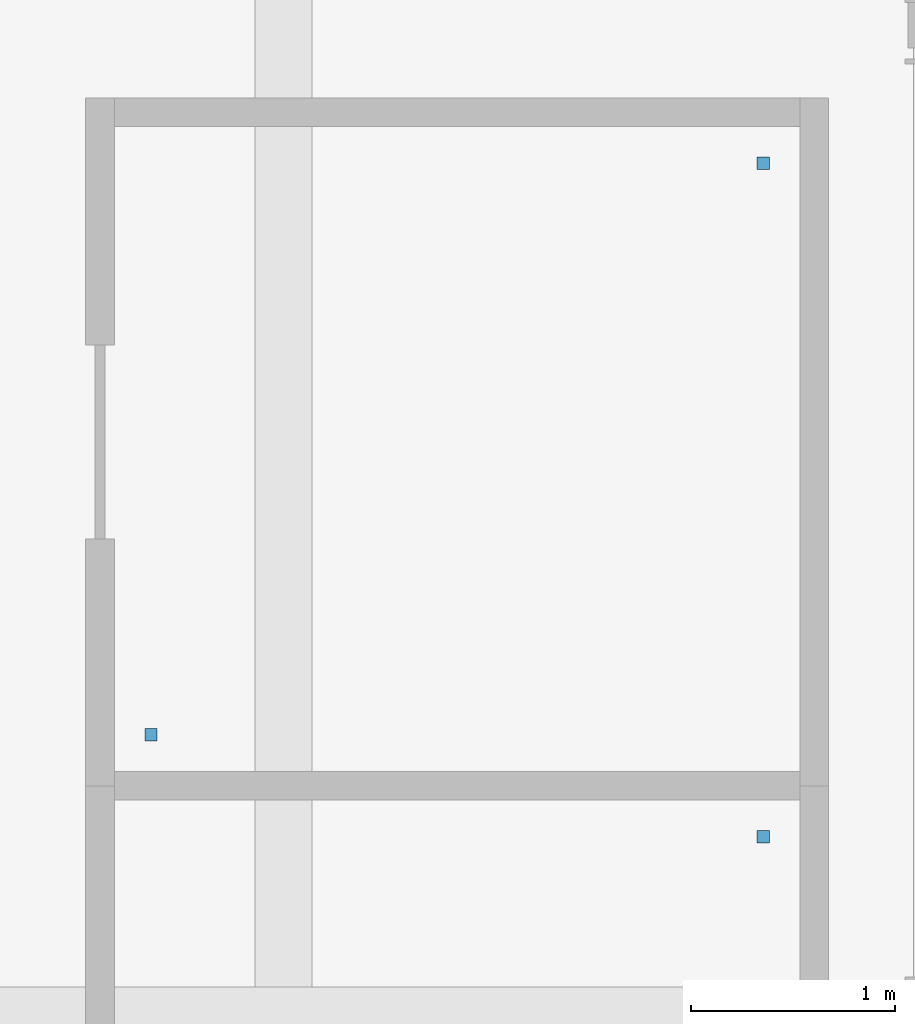
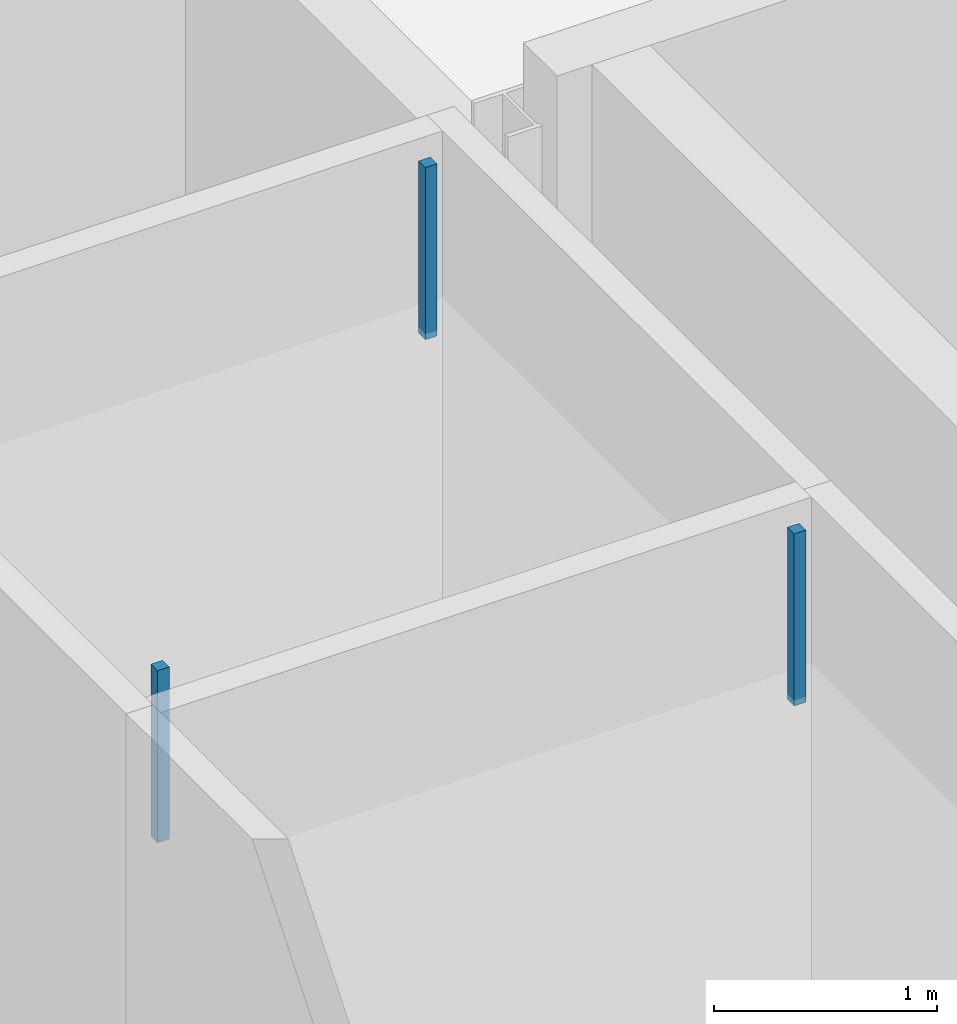
# One storey, part 18 of 22: 3 discrete accessories.
"""IFC4 building model written with IfcOpenShell, lengths in metres."""

from ifc_helpers import new_model, si_unit, direction, frame, origin, place, context, subcontext, project, spatial, polyline, outline, extrude, material, type_object, element, save


model = new_model("IFC4")

# Units and contexts
model_context = context("Model", 3, precision=1e-05, world=origin(), true_north=direction((0.0, 1.0)))
body_context = subcontext(model_context, "Body", "Model", "MODEL_VIEW")
ifc_project = project(units=[si_unit("LENGTHUNIT", "METRE"), si_unit("AREAUNIT", "SQUARE_METRE"), si_unit("VOLUMEUNIT", "CUBIC_METRE"), si_unit("PLANEANGLEUNIT", "RADIAN"), si_unit("MASSUNIT", "GRAM", prefix="KILO")], contexts=[model_context])

# Site, building, storey
site_placement = place(None, origin())
site = spatial("IfcSite", under=ifc_project, at=site_placement, CompositionType="ELEMENT")
building_placement = place(site_placement, origin())
building = spatial("IfcBuilding", under=site, at=building_placement, Name="Dunescarp Central Library", CompositionType="ELEMENT")
storey_placement = place(building_placement, frame((0.0, 0.0, 27.60009765625)))
storey = spatial("IfcBuildingStorey", under=building, at=storey_placement, Name="L06", CompositionType="ELEMENT", Elevation=27.60009765625)

# Discrete accessories
ifc_material = material(Name="Stainless steel Grade 316L", Category="steel")
discrete_accessory_type = type_object("IfcDiscreteAccessoryType", Name="ARC-ACC-BRK", PredefinedType="BRACKET", material=ifc_material)
discrete_accessory_1_placement = place(storey_placement, frame((0.0, 0.0, 3.059814453125)))
element("IfcDiscreteAccessory", 1, at=discrete_accessory_1_placement, inside=storey, type_object=discrete_accessory_type, Name="L06 ceiling hanger CLG-L06-041-H2", PredefinedType="BRACKET", context=body_context, shape_type="SweptSolid", body=[
    extrude(outline(polyline([(32.719970703125, 21.6201171875), (32.780029296875, 21.6201171875), (32.780029296875, 21.679931640625), (32.719970703125, 21.679931640625), (32.719970703125, 21.6201171875)])), origin(), (0.0, 0.0, 1.0), 0.940185546875),
])
discrete_accessory_2_placement = place(storey_placement, frame((0.0, 0.0, 3.059814453125)))
element("IfcDiscreteAccessory", 2, at=discrete_accessory_2_placement, inside=storey, type_object=discrete_accessory_type, Name="L06 ceiling hanger CLG-L06-042-H1", PredefinedType="BRACKET", context=body_context, shape_type="SweptSolid", body=[
    extrude(outline(polyline([(29.719970703125, 22.1201171875), (29.780029296875, 22.1201171875), (29.780029296875, 22.179931640625), (29.719970703125, 22.179931640625), (29.719970703125, 22.1201171875)])), origin(), (0.0, 0.0, 1.0), 0.940185546875),
])
discrete_accessory_3_placement = place(storey_placement, frame((0.0, 0.0, 3.059814453125)))
element("IfcDiscreteAccessory", 3, at=discrete_accessory_3_placement, inside=storey, type_object=discrete_accessory_type, Name="L06 ceiling hanger CLG-L06-042-H2", PredefinedType="BRACKET", context=body_context, shape_type="SweptSolid", body=[
    extrude(outline(polyline([(32.719970703125, 24.919921875), (32.780029296875, 24.919921875), (32.780029296875, 24.97998046875), (32.719970703125, 24.97998046875), (32.719970703125, 24.919921875)])), origin(), (0.0, 0.0, 1.0), 0.940185546875),
])

save(model, "model.ifc")
